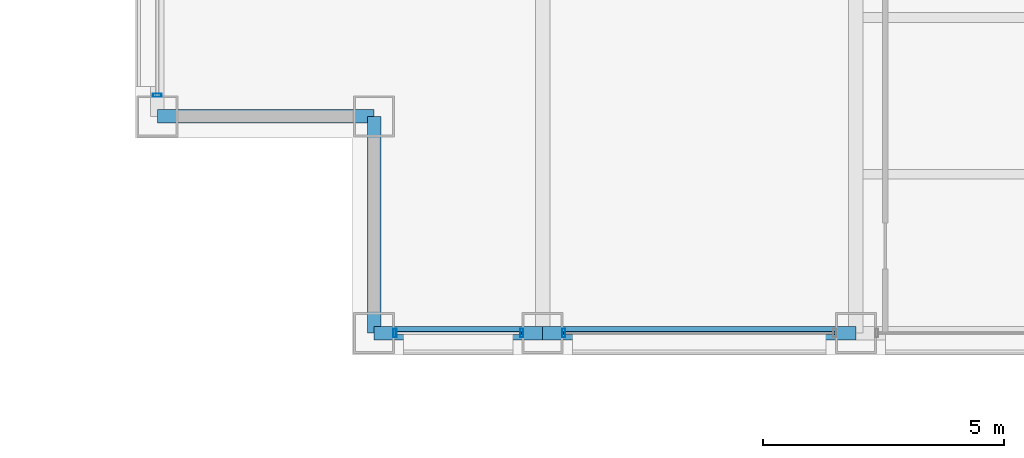
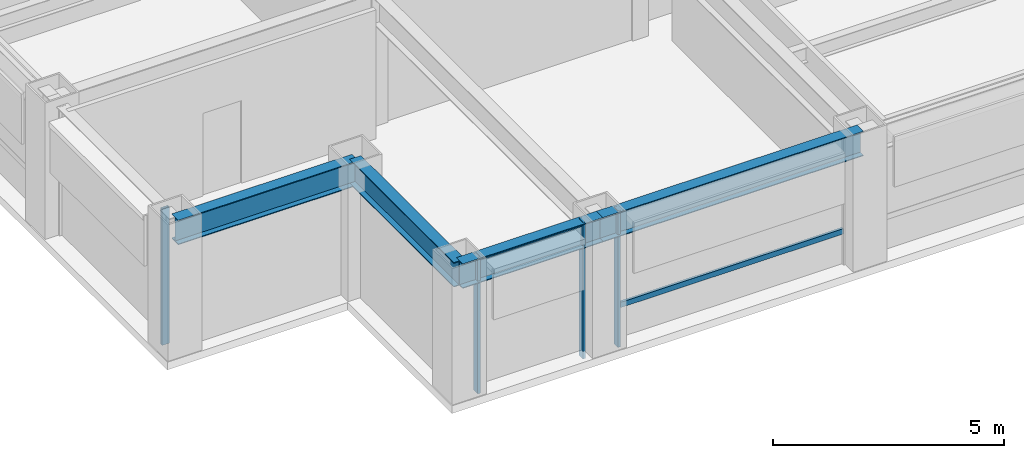
# One storey, part 2 of 29: 6 members, 4 beams, 3 elements without a shape of their own.
"""IFC4 building model written with IfcOpenShell, lengths in metres."""

from ifc_helpers import new_model, si_unit, direction, frame, origin, origin_2d, place, context, subcontext, project, spatial, hollow_rectangle, i_section, extrude, material, layer, layer_set, material_profile, profile_set, type_object, element, aggregate, save


model = new_model("IFC4")

# Units and contexts
model_context = context("Model", 3, precision=1e-05, world=origin(), true_north=direction((0.0, 1.0)))
body_context = subcontext(model_context, "Body", "Model", "MODEL_VIEW")
ifc_project = project(units=[si_unit("LENGTHUNIT", "METRE"), si_unit("AREAUNIT", "SQUARE_METRE"), si_unit("VOLUMEUNIT", "CUBIC_METRE"), si_unit("PLANEANGLEUNIT", "RADIAN"), si_unit("MASSUNIT", "GRAM", prefix="KILO")], contexts=[model_context])

# Site, building, storey
site_placement = place(None, origin())
site = spatial("IfcSite", under=ifc_project, at=site_placement, CompositionType="ELEMENT")
building_placement = place(site_placement, origin())
building = spatial("IfcBuilding", under=site, at=building_placement, Name="Brelmoor Portico Tower", CompositionType="ELEMENT")
storey_placement = place(building_placement, frame((0.0, 0.0, 95.39990234375)))
storey = spatial("IfcBuildingStorey", under=building, at=storey_placement, Name="L24", CompositionType="ELEMENT", Elevation=95.39990234375)

# Beams
ifc_material_1 = material(Name="Steel Q355B", Category="steel")
ifc_material_profile_1 = material_profile(ifc_material_1, i_section(OverallWidth=0.280029296875, OverallDepth=0.64990234375, WebThickness=0.012939453125, FlangeThickness=0.02197265625, at=origin_2d()), Name="HN 650x280x13x22")
ifc_profile_set_1 = profile_set([ifc_material_profile_1], Name="Steel Q355B")
beam_type = type_object("IfcBeamType", Name="BM-SP-650", PredefinedType="SPANDREL", material=ifc_profile_set_1)
beam_1_placement = place(storey_placement, frame((-18.050048828125, -19.550048828125, 3.0751953125), z_axis=(1.0, 0.0, 0.0), x_axis=(0.0, 1.0, 0.0)))
element("IfcBeam", 1, at=beam_1_placement, inside=storey, type_object=beam_type, Name="L24 Perimeter Spandrel Beam SP-01", PredefinedType="SPANDREL", context=body_context, shape_type="SweptSolid", body=[
    extrude(i_section(OverallWidth=0.280029296875, OverallDepth=0.64990234375, WebThickness=0.012939453125, FlangeThickness=0.02197265625, at=origin_2d()), origin(), (0.0, 0.0, 1.0), 3.5),
])
beam_2_placement = place(storey_placement, frame((-14.550048828125, -19.550048828125, 3.0751953125), z_axis=(1.0, 0.0, 0.0), x_axis=(0.0, 1.0, 0.0)))
element("IfcBeam", 2, at=beam_2_placement, inside=storey, type_object=beam_type, Name="L24 Perimeter Spandrel Beam SP-02", PredefinedType="SPANDREL", context=body_context, shape_type="SweptSolid", body=[
    extrude(i_section(OverallWidth=0.280029296875, OverallDepth=0.64990234375, WebThickness=0.012939453125, FlangeThickness=0.02197265625, at=origin_2d()), origin(), (0.0, 0.0, 1.0), 6.5),
])
for number, where, z_axis, x_axis, name in (
    (3, (-22.550048828125, -15.050048828125, 3.0751953125), (1.0, 0.0, 0.0), (0.0, 1.0, 0.0), "L24 Perimeter Spandrel Beam SP-06"),
    (4, (-18.050048828125, -19.550048828125, 3.0751953125), (0.0, 1.0, 0.0), (-1.0, 0.0, 0.0), "L24 Perimeter Spandrel Beam SP-18"),
):
    element("IfcBeam", number, at=place(storey_placement, frame(where, z_axis=z_axis, x_axis=x_axis)), inside=storey, type_object=beam_type, Name=name, PredefinedType="SPANDREL", context=body_context, shape_type="SweptSolid", body=[
        extrude(i_section(OverallWidth=0.280029296875, OverallDepth=0.64990234375, WebThickness=0.012939453125, FlangeThickness=0.02197265625, at=origin_2d()), origin(), (0.0, 0.0, 1.0), 4.5),
    ])

# Curtain wall, members
ifc_material_2 = material(Name="Anodised Aluminium Alloy 6063-T6", Category="aluminium")
ifc_layer_1 = layer(ifc_material_2, 0.179931640625)
ifc_layer_set_1 = layer_set([ifc_layer_1], Name="Anodised Aluminium Alloy 6063-T6")
curtain_wall_type_1 = type_object("IfcCurtainWallType", Name="CW-TOWER-Z2-XB", PredefinedType="NOTDEFINED", material=ifc_layer_set_1)
curtain_wall_1_placement = place(storey_placement, origin())
curtain_wall_1 = element("IfcCurtainWall", 5, at=curtain_wall_1_placement, inside=storey, type_object=curtain_wall_type_1, Name="L24 Curtain Wall CW-L24-1L-1", PredefinedType="NOTDEFINED")
ifc_material_profile_2 = material_profile(ifc_material_2, hollow_rectangle(XDim=0.06494140625, YDim=0.179931640625, WallThickness=0.00390625, at=origin_2d()), Name="ALU MULLION 65x180")
ifc_profile_set_2 = profile_set([ifc_material_profile_2], Name="Anodised Aluminium Alloy 6063-T6")
member_type_1 = type_object("IfcMemberType", Name="MB-CW-MULL-180", PredefinedType="MULLION", material=ifc_profile_set_2)
member_1_placement = place(storey_placement, frame((-17.614990234375, -19.550048828125, -0.199951171875), z_axis=(0.0, 0.0, 1.0), x_axis=(1.0, 0.0, 0.0)))
member_1 = element("IfcMember", 6, at=member_1_placement, type_object=member_type_1, Name="CW-L24-1L-1 Mullion 00", PredefinedType="MULLION", context=body_context, shape_type="SweptSolid", body=[
    extrude(hollow_rectangle(XDim=0.06494140625, YDim=0.179931640625, WallThickness=0.00390625, at=origin_2d()), origin(), (0.0, 0.0, 1.0), 3.60009765625),
])
member_2_placement = place(storey_placement, frame((-14.985107421875, -19.550048828125, -0.199951171875), z_axis=(0.0, 0.0, 1.0), x_axis=(1.0, 0.0, 0.0)))
member_2 = element("IfcMember", 7, at=member_2_placement, type_object=member_type_1, Name="CW-L24-1L-1 Mullion 01", PredefinedType="MULLION", context=body_context, shape_type="SweptSolid", body=[
    extrude(hollow_rectangle(XDim=0.06494140625, YDim=0.179931640625, WallThickness=0.00390625, at=origin_2d()), origin(), (0.0, 0.0, 1.0), 3.60009765625),
])

# Curtain wall, member
ifc_layer_2 = layer(ifc_material_2, 0.179931640625)
ifc_layer_set_2 = layer_set([ifc_layer_2], Name="Anodised Aluminium Alloy 6063-T6")
curtain_wall_type_2 = type_object("IfcCurtainWallType", Name="CW-TOWER-Z2", PredefinedType="NOTDEFINED", material=ifc_layer_set_2)
curtain_wall_2_placement = place(storey_placement, origin())
curtain_wall_2 = element("IfcCurtainWall", 8, at=curtain_wall_2_placement, inside=storey, type_object=curtain_wall_type_2, Name="L24 Curtain Wall CW-L24-1L-2", PredefinedType="NOTDEFINED")
member_3_placement = place(storey_placement, frame((-14.114990234375, -19.550048828125, -0.199951171875), z_axis=(0.0, 0.0, 1.0), x_axis=(1.0, 0.0, 0.0)))
member_3 = element("IfcMember", 9, at=member_3_placement, type_object=member_type_1, Name="CW-L24-1L-2 Mullion 00", PredefinedType="MULLION", context=body_context, shape_type="SweptSolid", body=[
    extrude(hollow_rectangle(XDim=0.06494140625, YDim=0.179931640625, WallThickness=0.00390625, at=origin_2d()), origin(), (0.0, 0.0, 1.0), 3.60009765625),
])

curtain_wall_3_placement = place(storey_placement, origin())
curtain_wall_3 = element("IfcCurtainWall", 10, at=curtain_wall_3_placement, inside=storey, type_object=curtain_wall_type_1, Name="L24 Curtain Wall CW-L24-3L-1", PredefinedType="NOTDEFINED")
member_4_placement = place(storey_placement, frame((-22.550048828125, -14.614990234375, -0.199951171875), z_axis=(0.0, 0.0, 1.0), x_axis=(0.0, 1.0, 0.0)))
member_4 = element("IfcMember", 11, at=member_4_placement, type_object=member_type_1, Name="CW-L24-3L-1 Mullion 00", PredefinedType="MULLION", context=body_context, shape_type="SweptSolid", body=[
    extrude(hollow_rectangle(XDim=0.06494140625, YDim=0.179931640625, WallThickness=0.00390625, at=origin_2d()), origin(), (0.0, 0.0, 1.0), 3.60009765625),
])
aggregate(curtain_wall_3, [member_4])

# Member
ifc_material_profile_3 = material_profile(ifc_material_2, hollow_rectangle(XDim=0.06494140625, YDim=0.139892578125, WallThickness=0.00390625, at=origin_2d()), Name="ALU TRANSOM 65x140")
ifc_profile_set_3 = profile_set([ifc_material_profile_3], Name="Anodised Aluminium Alloy 6063-T6")
member_type_2 = type_object("IfcMemberType", Name="MB-CW-TRAN-140", PredefinedType="USERDEFINED", material=ifc_profile_set_3)
member_5_placement = place(storey_placement, frame((-17.614990234375, -19.550048828125, 3.330078125), z_axis=(1.0, 0.0, 0.0), x_axis=(0.0, 1.0, 0.0)))
member_5 = element("IfcMember", 12, at=member_5_placement, type_object=member_type_2, Name="CW-L24-1L-1 Transom 1-00", ObjectType="TRANSOM", PredefinedType="USERDEFINED", context=body_context, shape_type="SweptSolid", body=[
    extrude(hollow_rectangle(XDim=0.06494140625, YDim=0.139892578125, WallThickness=0.00390625, at=origin_2d()), origin(), (0.0, 0.0, 1.0), 2.6298828125),
])

aggregate(curtain_wall_1, [member_1, member_2, member_5])

member_6_placement = place(storey_placement, frame((-14.114990234375, -19.550048828125, 0.85009765625), z_axis=(1.0, 0.0, 0.0), x_axis=(0.0, 1.0, 0.0)))
member_6 = element("IfcMember", 13, at=member_6_placement, type_object=member_type_2, Name="CW-L24-1L-2 Transom 1-00", ObjectType="TRANSOM", PredefinedType="USERDEFINED", context=body_context, shape_type="SweptSolid", body=[
    extrude(hollow_rectangle(XDim=0.06494140625, YDim=0.139892578125, WallThickness=0.00390625, at=origin_2d()), origin(), (0.0, 0.0, 1.0), 5.6298828125),
])

aggregate(curtain_wall_2, [member_3, member_6])

save(model, "model.ifc")
